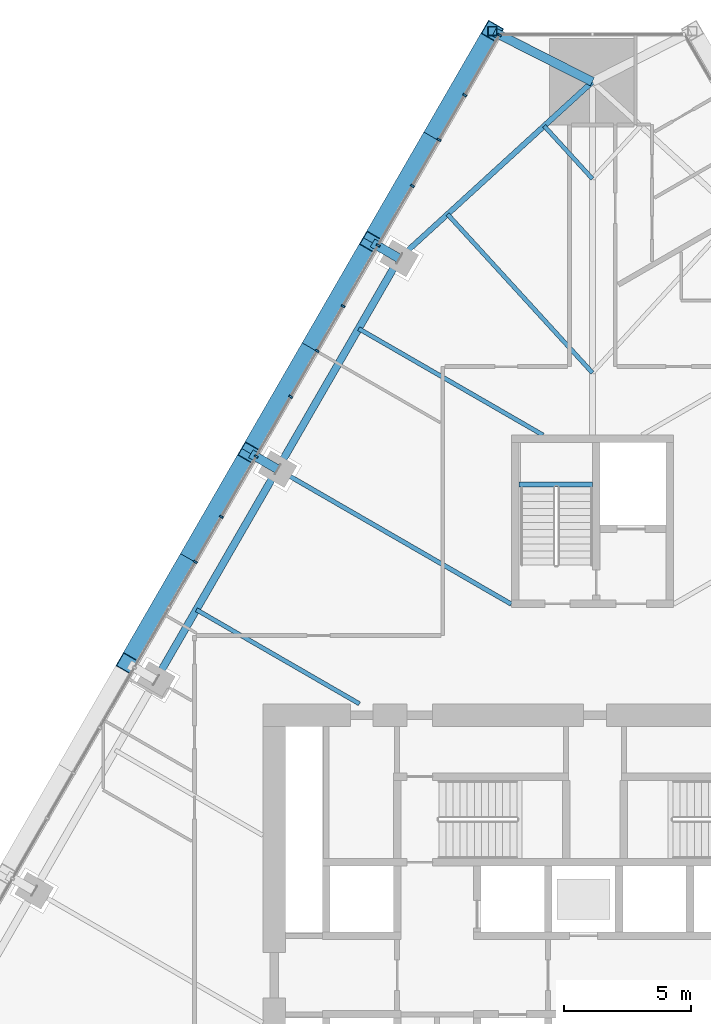
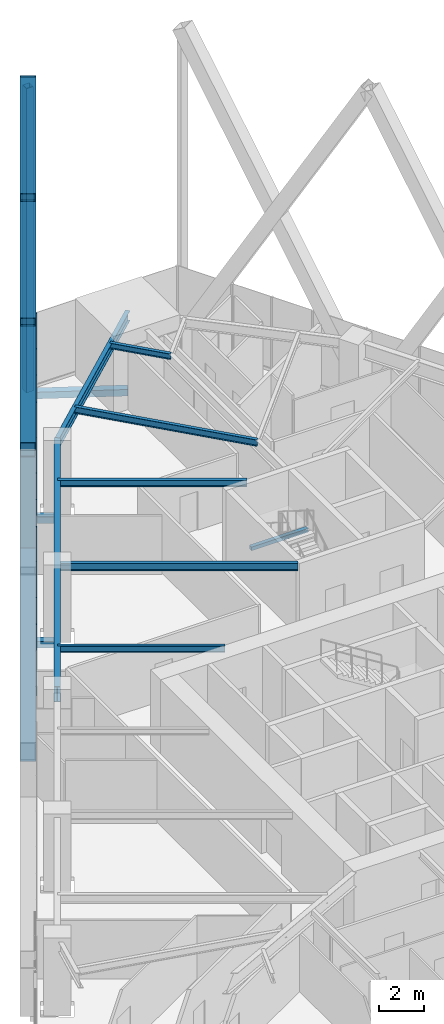
# One storey, part 11 of 26: 21 members, 8 beams, 1 element without a shape of its own.
"""IFC4 building model written with IfcOpenShell, lengths in metres."""

from ifc_helpers import new_model, si_unit, direction, frame, origin, origin_2d, place, context, subcontext, project, spatial, rectangle, hollow_rectangle, i_section, extrude, material, layer, layer_set, material_profile, profile_set, type_object, element, aggregate, save


model = new_model("IFC4")

# Units and contexts
model_context = context("Model", 3, precision=1e-05, world=origin(), true_north=direction((0.0, 1.0)))
body_context = subcontext(model_context, "Body", "Model", "MODEL_VIEW")
ifc_project = project(units=[si_unit("LENGTHUNIT", "METRE"), si_unit("AREAUNIT", "SQUARE_METRE"), si_unit("VOLUMEUNIT", "CUBIC_METRE"), si_unit("PLANEANGLEUNIT", "RADIAN"), si_unit("MASSUNIT", "GRAM", prefix="KILO")], contexts=[model_context])

# Site, building, storey
site_placement = place(None, origin())
site = spatial("IfcSite", under=ifc_project, at=site_placement, CompositionType="ELEMENT")
building_placement = place(site_placement, origin())
building = spatial("IfcBuilding", under=site, at=building_placement, Name="Firuza Gate Tower and Library", CompositionType="ELEMENT")
storey_placement = place(building_placement, frame((0.0, 0.0, 40.0)))
storey = spatial("IfcBuildingStorey", under=building, at=storey_placement, Name="L08", CompositionType="ELEMENT", Elevation=40.0)

# Members
ifc_material_1 = material(Name="Steel S355", Category="steel")
ifc_material_profile_1 = material_profile(ifc_material_1, hollow_rectangle(XDim=0.699951171875, YDim=0.699951171875, WallThickness=0.030029296875, at=origin_2d()))
ifc_profile_set_1 = profile_set([ifc_material_profile_1], Name="Steel S355")
member_type_1 = type_object("IfcMemberType", Name="BU700x700x30 Lattice brace", PredefinedType="BRACE", material=ifc_profile_set_1)
for number, where, z_axis, x_axis, name in (
    (1, (71.0537109375, 110.533935546875, 0.0), (-0.248070627491, -0.429672811585, 0.86824088752), (0.866026351547, -0.499998358424, 0.0), "Lattice brace W 1.1R"),
    (2, (66.253662109375, 102.219970703125, 0.0), (0.248070627491, 0.429672811585, 0.86824088752), (-0.866026351547, 0.499998358424, 0.0), "Lattice brace W 1.1L"),
):
    element("IfcMember", number, at=place(storey_placement, frame(where, z_axis=z_axis, x_axis=x_axis)), inside=storey, type_object=member_type_1, Name=name, PredefinedType="BRACE", context=body_context, shape_type="SweptSolid", body=[
        extrude(hollow_rectangle(XDim=0.699951171875, YDim=0.699951171875, WallThickness=0.030029296875, at=origin_2d()), origin(), (0.0, 0.0, 1.0), 19.349609375),
    ])
for number, where, z_axis, x_axis, name in (
    (3, (66.253662109375, 102.219970703125, 0.0), (-0.24807197236, -0.429662523513, 0.868245594528), (0.866019993635, -0.500009370536, 0.0), "Lattice brace W 1.2R"),
    (4, (61.45361328125, 93.90625, 0.0), (0.24807197236, 0.429662523513, 0.868245594528), (-0.866019993635, 0.500009370536, 0.0), "Lattice brace W 1.2L"),
):
    element("IfcMember", number, at=place(storey_placement, frame(where, z_axis=z_axis, x_axis=x_axis)), inside=storey, type_object=member_type_1, Name=name, PredefinedType="BRACE", context=body_context, shape_type="SweptSolid", body=[
        extrude(hollow_rectangle(XDim=0.699951171875, YDim=0.699951171875, WallThickness=0.030029296875, at=origin_2d()), origin(), (0.0, 0.0, 1.0), 19.349365234375),
    ])
for number, where, z_axis, x_axis, name in (
    (5, (61.45361328125, 93.90625, 0.0), (-0.248070627491, -0.429672811585, 0.86824088752), (0.866026351547, -0.499998358424, 0.0), "Lattice brace W 1.3R"),
    (6, (56.653564453125, 85.59228515625, 0.0), (0.248070627491, 0.429672811585, 0.86824088752), (-0.866026351547, 0.499998358424, 0.0), "Lattice brace W 1.3L"),
):
    element("IfcMember", number, at=place(storey_placement, frame(where, z_axis=z_axis, x_axis=x_axis)), inside=storey, type_object=member_type_1, Name=name, PredefinedType="BRACE", context=body_context, shape_type="SweptSolid", body=[
        extrude(hollow_rectangle(XDim=0.699951171875, YDim=0.699951171875, WallThickness=0.030029296875, at=origin_2d()), origin(), (0.0, 0.0, 1.0), 19.349609375),
    ])

# Curtain wall, members
ifc_material_2 = material(Name="Aluminium 6063-T6", Category="aluminium")
ifc_layer = layer(ifc_material_2, 0.14990234375)
ifc_layer_set = layer_set([ifc_layer], Name="Unitised curtain wall, offices")
curtain_wall_type = type_object("IfcCurtainWallType", Name="Unitised curtain wall, offices", PredefinedType="NOTDEFINED", material=ifc_layer_set)
curtain_wall_placement = place(storey_placement, origin())
curtain_wall = element("IfcCurtainWall", 7, at=curtain_wall_placement, inside=storey, type_object=curtain_wall_type, Name="CW1 L08 W face", PredefinedType="NOTDEFINED")
ifc_material_3 = material(Name="Aluminium 6063-T6", Category="aluminium")
ifc_material_profile_2 = material_profile(ifc_material_3, rectangle(XDim=0.14990234375, YDim=0.080078125, at=origin_2d()))
ifc_profile_set_2 = profile_set([ifc_material_profile_2], Name="Aluminium 6063-T6")
member_type_2 = type_object("IfcMemberType", Name="Curtain wall mullion 80x150", PredefinedType="MULLION", material=ifc_profile_set_2)
member_1_placement = place(storey_placement, frame((71.336669921875, 110.374267578125, 0.14990234375), z_axis=(0.0, 0.0, 1.0), x_axis=(0.866025403784, -0.5, 0.0)))
member_1 = element("IfcMember", 8, at=member_1_placement, type_object=member_type_2, Name="Mullion", PredefinedType="MULLION", context=body_context, shape_type="SweptSolid", body=[
    extrude(rectangle(XDim=0.14990234375, YDim=0.080078125, at=origin_2d()), origin(), (0.0, 0.0, 1.0), 3.85009765625),
])
member_2_placement = place(storey_placement, frame((68.953125, 106.24560546875, 0.14990234375), z_axis=(0.0, 0.0, 1.0), x_axis=(0.866025403784, -0.5, 0.0)))
member_2 = element("IfcMember", 9, at=member_2_placement, type_object=member_type_2, Name="Mullion", PredefinedType="MULLION", context=body_context, shape_type="SweptSolid", body=[
    extrude(rectangle(XDim=0.14990234375, YDim=0.080078125, at=origin_2d()), origin(), (0.0, 0.0, 1.0), 3.85009765625),
])
member_3_placement = place(storey_placement, frame((66.549560546875, 102.08251953125, 0.14990234375), z_axis=(0.0, 0.0, 1.0), x_axis=(0.866025403784, -0.5, 0.0)))
member_3 = element("IfcMember", 10, at=member_3_placement, type_object=member_type_2, Name="Mullion", PredefinedType="MULLION", context=body_context, shape_type="SweptSolid", body=[
    extrude(rectangle(XDim=0.14990234375, YDim=0.080078125, at=origin_2d()), origin(), (0.0, 0.0, 1.0), 3.85009765625),
])
member_4_placement = place(storey_placement, frame((64.145751953125, 97.91943359375, 0.14990234375), z_axis=(0.0, 0.0, 1.0), x_axis=(0.866025403784, -0.5, 0.0)))
member_4 = element("IfcMember", 11, at=member_4_placement, type_object=member_type_2, Name="Mullion", PredefinedType="MULLION", context=body_context, shape_type="SweptSolid", body=[
    extrude(rectangle(XDim=0.14990234375, YDim=0.080078125, at=origin_2d()), origin(), (0.0, 0.0, 1.0), 3.85009765625),
])
member_5_placement = place(storey_placement, frame((61.7421875, 93.756103515625, 0.14990234375), z_axis=(0.0, 0.0, 1.0), x_axis=(0.866025403784, -0.5, 0.0)))
member_5 = element("IfcMember", 12, at=member_5_placement, type_object=member_type_2, Name="Mullion", PredefinedType="MULLION", context=body_context, shape_type="SweptSolid", body=[
    extrude(rectangle(XDim=0.14990234375, YDim=0.080078125, at=origin_2d()), origin(), (0.0, 0.0, 1.0), 3.85009765625),
])
member_6_placement = place(storey_placement, frame((59.338623046875, 89.593017578125, 0.14990234375), z_axis=(0.0, 0.0, 1.0), x_axis=(0.866025403784, -0.5, 0.0)))
member_6 = element("IfcMember", 13, at=member_6_placement, type_object=member_type_2, Name="Mullion", PredefinedType="MULLION", context=body_context, shape_type="SweptSolid", body=[
    extrude(rectangle(XDim=0.14990234375, YDim=0.080078125, at=origin_2d()), origin(), (0.0, 0.0, 1.0), 3.85009765625),
])
member_7_placement = place(storey_placement, frame((69.968017578125, 108.003662109375, 0.14990234375), z_axis=(0.0, 0.0, 1.0), x_axis=(0.866025403784, -0.5, 0.0)))
member_7 = element("IfcMember", 14, at=member_7_placement, type_object=member_type_2, Name="Mullion", PredefinedType="MULLION", context=body_context, shape_type="SweptSolid", body=[
    extrude(rectangle(XDim=0.14990234375, YDim=0.080078125, at=origin_2d()), origin(), (0.0, 0.0, 1.0), 3.85009765625),
])
member_8_placement = place(storey_placement, frame((67.90185546875, 104.425048828125, 0.14990234375), z_axis=(0.0, 0.0, 1.0), x_axis=(0.866025403784, -0.5, 0.0)))
member_8 = element("IfcMember", 15, at=member_8_placement, type_object=member_type_2, Name="Mullion", PredefinedType="MULLION", context=body_context, shape_type="SweptSolid", body=[
    extrude(rectangle(XDim=0.14990234375, YDim=0.080078125, at=origin_2d()), origin(), (0.0, 0.0, 1.0), 3.85009765625),
])
member_9_placement = place(storey_placement, frame((65.168212890625, 99.68994140625, 0.14990234375), z_axis=(0.0, 0.0, 1.0), x_axis=(0.866025403784, -0.5, 0.0)))
member_9 = element("IfcMember", 16, at=member_9_placement, type_object=member_type_2, Name="Mullion", PredefinedType="MULLION", context=body_context, shape_type="SweptSolid", body=[
    extrude(rectangle(XDim=0.14990234375, YDim=0.080078125, at=origin_2d()), origin(), (0.0, 0.0, 1.0), 3.85009765625),
])
member_10_placement = place(storey_placement, frame((63.10205078125, 96.111328125, 0.14990234375), z_axis=(0.0, 0.0, 1.0), x_axis=(0.866025403784, -0.5, 0.0)))
member_10 = element("IfcMember", 17, at=member_10_placement, type_object=member_type_2, Name="Mullion", PredefinedType="MULLION", context=body_context, shape_type="SweptSolid", body=[
    extrude(rectangle(XDim=0.14990234375, YDim=0.080078125, at=origin_2d()), origin(), (0.0, 0.0, 1.0), 3.85009765625),
])
member_11_placement = place(storey_placement, frame((60.3681640625, 91.3759765625, 0.14990234375), z_axis=(0.0, 0.0, 1.0), x_axis=(0.866025403784, -0.5, 0.0)))
member_11 = element("IfcMember", 18, at=member_11_placement, type_object=member_type_2, Name="Mullion", PredefinedType="MULLION", context=body_context, shape_type="SweptSolid", body=[
    extrude(rectangle(XDim=0.14990234375, YDim=0.080078125, at=origin_2d()), origin(), (0.0, 0.0, 1.0), 3.85009765625),
])
aggregate(curtain_wall, [member_1, member_2, member_3, member_4, member_5, member_6, member_7, member_8, member_9, member_10, member_11])

# Members
ifc_material_4 = material(Name="Steel S355", Category="steel")
ifc_material_profile_3 = material_profile(ifc_material_4, hollow_rectangle(XDim=0.355712890625, YDim=0.355712890625, WallThickness=0.014892578125, at=origin_2d()))
ifc_profile_set_3 = profile_set([ifc_material_profile_3], Name="Steel S355")
member_type_3 = type_object("IfcMemberType", Name="HSS356x356x16 Lattice corner stile", PredefinedType="BRACE", material=ifc_profile_set_3)
member_12_placement = place(storey_placement, frame((71.0537109375, 110.533935546875, -0.139892578125), z_axis=(0.0, 0.0, 1.0), x_axis=(1.0, 0.0, 0.0)))
element("IfcMember", 19, at=member_12_placement, inside=storey, type_object=member_type_3, Name="Lattice corner stile W 1.A", PredefinedType="BRACE", context=body_context, shape_type="SweptSolid", body=[
    extrude(hollow_rectangle(XDim=0.355712890625, YDim=0.355712890625, WallThickness=0.014892578125, at=origin_2d()), origin(), (0.0, 0.0, 1.0), 16.43994140625),
])
ifc_material_5 = material(Name="Steel S355", Category="steel")
ifc_material_profile_4 = material_profile(ifc_material_5, hollow_rectangle(XDim=0.355712890625, YDim=0.355712890625, WallThickness=0.014892578125, at=origin_2d()))
ifc_profile_set_4 = profile_set([ifc_material_profile_4], Name="Steel S355")
member_type_4 = type_object("IfcMemberType", Name="HSS356x356x16 Lattice node tie", PredefinedType="BRACE", material=ifc_profile_set_4)
for number, where, z_axis, x_axis, name in (
    (20, (62.579345703125, 93.256103515625, -0.340087890625), (-0.865971428223, 0.500093476763, 0.0), (-0.500093476763, -0.865971428223, 0.0), "Lattice node tie W L08 19"),
    (21, (67.37939453125, 101.570068359375, -0.340087890625), (-0.866058436235, 0.499942781752, 0.0), (-0.499942781752, -0.866058436235, 0.0), "Lattice node tie W L08 20"),
):
    element("IfcMember", number, at=place(storey_placement, frame(where, z_axis=z_axis, x_axis=x_axis)), inside=storey, type_object=member_type_4, Name=name, PredefinedType="BRACE", context=body_context, shape_type="SweptSolid", body=[
        extrude(hollow_rectangle(XDim=0.355712890625, YDim=0.355712890625, WallThickness=0.014892578125, at=origin_2d()), origin(), (0.0, 0.0, 1.0), 1.215087890625),
    ])
member_13_placement = place(storey_placement, frame((75.0, 108.533935546875, -0.340087890625), z_axis=(-0.892006133943, 0.452023292551, 0.0), x_axis=(-0.452023292551, -0.892006133943, 0.0)))
element("IfcMember", 22, at=member_13_placement, inside=storey, type_object=member_type_4, Name="Lattice node tie W L08 21", PredefinedType="BRACE", context=body_context, shape_type="SweptSolid", body=[
    extrude(hollow_rectangle(XDim=0.355712890625, YDim=0.355712890625, WallThickness=0.014892578125, at=origin_2d()), origin(), (0.0, 0.0, 1.0), 4.339111328125),
])

# Beams
ifc_material_6 = material(Name="Concrete C35/45", Category="concrete")
ifc_material_profile_5 = material_profile(ifc_material_6, rectangle(XDim=0.199951171875, YDim=0.199951171875, at=origin_2d()))
ifc_profile_set_5 = profile_set([ifc_material_profile_5], Name="Concrete C35/45")
beam_type_1 = type_object("IfcBeamType", Name="Stair landing bearer 200x200", PredefinedType="BEAM", material=ifc_profile_set_5)
beam_1_placement = place(storey_placement, frame((75.0, 92.64990234375, 1.800048828125), z_axis=(-1.0, 0.0, 0.0), x_axis=(0.0, -1.0, 0.0)))
element("IfcBeam", 23, at=beam_1_placement, inside=storey, type_object=beam_type_1, Name="Landing bearer L08 stair 3", PredefinedType="BEAM", context=body_context, shape_type="SweptSolid", body=[
    extrude(rectangle(XDim=0.199951171875, YDim=0.199951171875, at=origin_2d()), origin(), (0.0, 0.0, 1.0), 2.89990234375),
])
ifc_material_7 = material(Name="Steel S355", Category="steel")
ifc_material_profile_6 = material_profile(ifc_material_7, i_section(OverallWidth=0.1650390625, OverallDepth=0.31005859375, WebThickness=0.005859375, FlangeThickness=0.009765625, at=origin_2d()))
ifc_profile_set_6 = profile_set([ifc_material_profile_6], Name="Steel S355")
beam_type_2 = type_object("IfcBeamType", Name="W310x39 Floor beam", PredefinedType="JOIST", material=ifc_profile_set_6)
beam_2_placement = place(storey_placement, frame((73.094970703125, 106.79296875, 3.844970703125), z_axis=(0.674533736892, -0.738244023203, 0.0), x_axis=(0.738244023203, 0.674533736892, 0.0)))
element("IfcBeam", 24, at=beam_2_placement, inside=storey, type_object=beam_type_2, Name="Floor beam L08 s70", PredefinedType="JOIST", context=body_context, shape_type="SweptSolid", body=[
    extrude(i_section(OverallWidth=0.1650390625, OverallDepth=0.31005859375, WebThickness=0.005859375, FlangeThickness=0.009765625, at=origin_2d()), origin(), (0.0, 0.0, 1.0), 2.82421875),
])
ifc_material_8 = material(Name="Steel S355", Category="steel")
ifc_material_profile_7 = material_profile(ifc_material_8, i_section(OverallWidth=0.1708984375, OverallDepth=0.35498046875, WebThickness=0.007080078125, FlangeThickness=0.01171875, at=origin_2d()))
ifc_profile_set_7 = profile_set([ifc_material_profile_7], Name="Steel S355")
beam_type_3 = type_object("IfcBeamType", Name="W360x51 Floor beam", PredefinedType="JOIST", material=ifc_profile_set_7)
beam_3_placement = place(storey_placement, frame((69.28466796875, 103.31103515625, 3.822509765625), z_axis=(0.674578139258, -0.7382034503, 0.0), x_axis=(0.7382034503, 0.674578139258, 0.0)))
element("IfcBeam", 25, at=beam_3_placement, inside=storey, type_object=beam_type_3, Name="Floor beam L08 s71", PredefinedType="JOIST", context=body_context, shape_type="SweptSolid", body=[
    extrude(i_section(OverallWidth=0.1708984375, OverallDepth=0.35498046875, WebThickness=0.007080078125, FlangeThickness=0.01171875, at=origin_2d()), origin(), (0.0, 0.0, 1.0), 8.472412109375),
])
beam_4_placement = place(storey_placement, frame((65.779541015625, 98.798828125, 3.822509765625), z_axis=(0.866019517829, -0.500010194636, 0.0), x_axis=(0.500010194636, 0.866019517829, 0.0)))
element("IfcBeam", 26, at=beam_4_placement, inside=storey, type_object=beam_type_3, Name="Floor beam L08 s80", PredefinedType="JOIST", context=body_context, shape_type="SweptSolid", body=[
    extrude(i_section(OverallWidth=0.1708984375, OverallDepth=0.35498046875, WebThickness=0.007080078125, FlangeThickness=0.01171875, at=origin_2d()), origin(), (0.0, 0.0, 1.0), 8.397216796875),
])
beam_5_placement = place(storey_placement, frame((59.37939453125, 87.713623046875, 3.822509765625), z_axis=(0.866023556141, -0.500003200199, 0.0), x_axis=(0.500003200199, 0.866023556141, 0.0)))
element("IfcBeam", 27, at=beam_5_placement, inside=storey, type_object=beam_type_3, Name="Floor beam L08 s82", PredefinedType="JOIST", context=body_context, shape_type="SweptSolid", body=[
    extrude(i_section(OverallWidth=0.1708984375, OverallDepth=0.35498046875, WebThickness=0.007080078125, FlangeThickness=0.01171875, at=origin_2d()), origin(), (0.0, 0.0, 1.0), 7.42724609375),
])
ifc_material_9 = material(Name="Steel S355", Category="steel")
ifc_material_profile_8 = material_profile(ifc_material_9, i_section(OverallWidth=0.177978515625, OverallDepth=0.406982421875, WebThickness=0.0078125, FlangeThickness=0.0126953125, at=origin_2d()))
ifc_profile_set_8 = profile_set([ifc_material_profile_8], Name="Steel S355")
beam_type_4 = type_object("IfcBeamType", Name="W410x60 Floor beam", PredefinedType="JOIST", material=ifc_profile_set_8)
beam_6_placement = place(storey_placement, frame((62.579345703125, 93.256103515625, 3.79638671875), z_axis=(0.866029027547, -0.499993723407, 0.0), x_axis=(0.499993723407, 0.866029027547, 0.0)))
element("IfcBeam", 28, at=beam_6_placement, inside=storey, type_object=beam_type_4, Name="Floor beam L08 s81", PredefinedType="JOIST", context=body_context, shape_type="SweptSolid", body=[
    extrude(i_section(OverallWidth=0.177978515625, OverallDepth=0.406982421875, WebThickness=0.0078125, FlangeThickness=0.0126953125, at=origin_2d()), origin(), (0.0, 0.0, 1.0), 10.647216796875),
])
ifc_material_10 = material(Name="Steel S355", Category="steel")
ifc_material_profile_9 = material_profile(ifc_material_10, i_section(OverallWidth=0.212890625, OverallDepth=0.5390625, WebThickness=0.01171875, FlangeThickness=0.018798828125, at=origin_2d()))
ifc_profile_set_9 = profile_set([ifc_material_profile_9], Name="Steel S355")
beam_type_5 = type_object("IfcBeamType", Name="W530x109 Edge beam", PredefinedType="SPANDREL", material=ifc_profile_set_9)
beam_7_placement = place(storey_placement, frame((75.0, 108.533935546875, 3.73046875), z_axis=(-0.738199730284, -0.674582210118, 0.0), x_axis=(0.674582210118, -0.738199730284, 0.0)))
element("IfcBeam", 29, at=beam_7_placement, inside=storey, type_object=beam_type_5, Name="Edge beam L08 e70", PredefinedType="SPANDREL", context=body_context, shape_type="SweptSolid", body=[
    extrude(i_section(OverallWidth=0.212890625, OverallDepth=0.5390625, WebThickness=0.01171875, FlangeThickness=0.018798828125, at=origin_2d()), origin(), (0.0, 0.0, 1.0), 10.3232421875),
])
ifc_material_11 = material(Name="Steel S355", Category="steel")
ifc_material_profile_10 = material_profile(ifc_material_11, i_section(OverallWidth=0.2919921875, OverallDepth=0.8349609375, WebThickness=0.013916015625, FlangeThickness=0.018798828125, at=origin_2d()))
ifc_profile_set_10 = profile_set([ifc_material_profile_10], Name="Steel S355")
beam_type_6 = type_object("IfcBeamType", Name="W840x176 Edge beam", PredefinedType="SPANDREL", material=ifc_profile_set_10)
beam_8_placement = place(storey_placement, frame((67.37939453125, 101.570068359375, 3.58251953125), z_axis=(-0.499994327668, -0.866028678682, 0.0), x_axis=(0.866028678682, -0.499994327668, 0.0)))
element("IfcBeam", 30, at=beam_8_placement, inside=storey, type_object=beam_type_6, Name="Edge beam L08 e80", PredefinedType="SPANDREL", context=body_context, shape_type="SweptSolid", body=[
    extrude(i_section(OverallWidth=0.2919921875, OverallDepth=0.8349609375, WebThickness=0.013916015625, FlangeThickness=0.018798828125, at=origin_2d()), origin(), (0.0, 0.0, 1.0), 19.199951171875),
])

save(model, "model.ifc")
